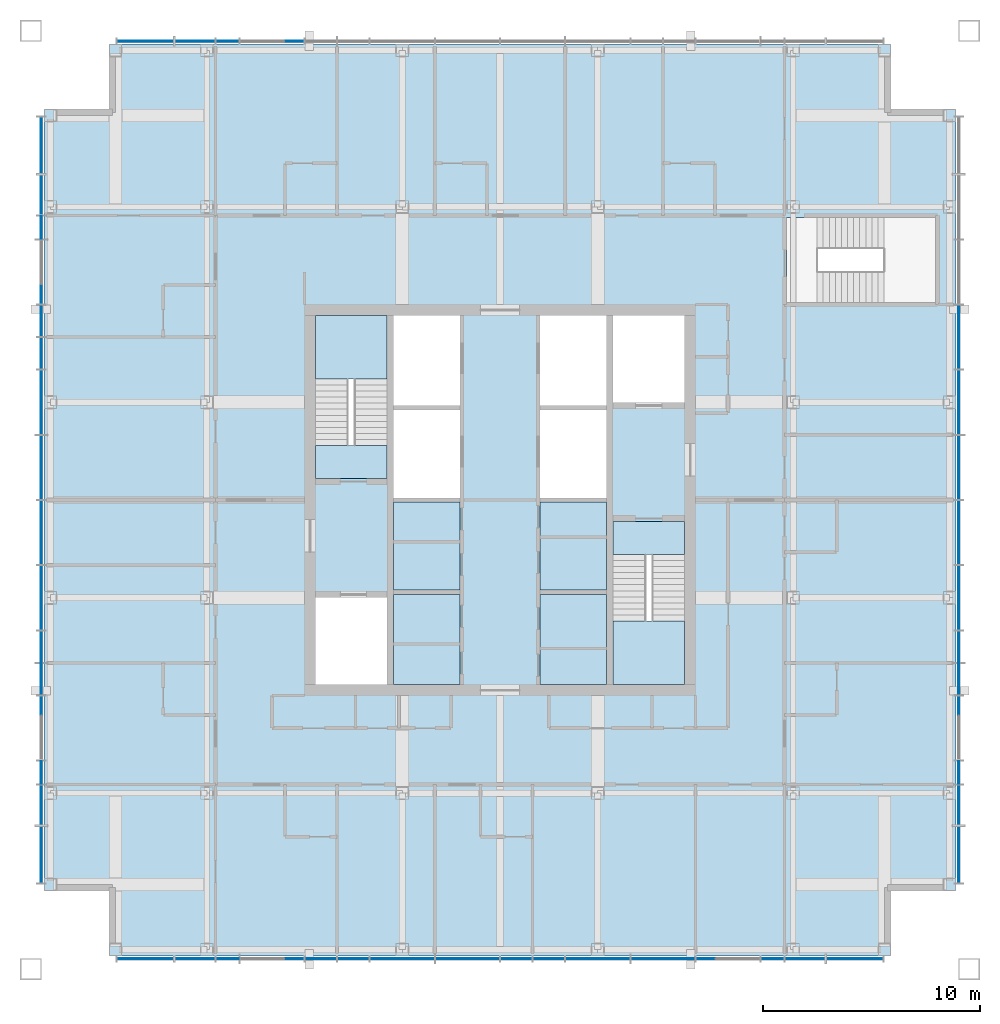
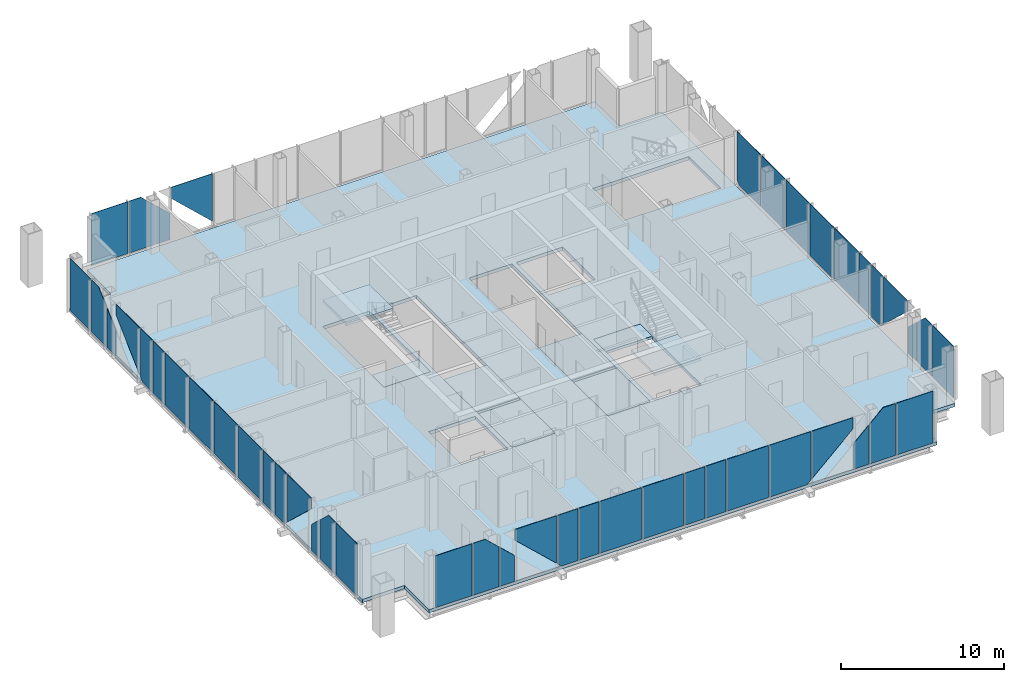
# One storey, part 6 of 11: 47 plates, 9 slabs, 6 elements without a shape of their own.
"""IFC4 building model written with IfcOpenShell, lengths in metres."""

from ifc_helpers import new_model, si_unit, direction, frame, origin, origin_2d, place, context, subcontext, project, spatial, polyline, rectangle, outline, extrude, material, layer, layer_set, type_object, element, aggregate, save


model = new_model("IFC4")

# Units and contexts
model_context = context("Model", 3, precision=1e-05, world=origin(), true_north=direction((0.0, 1.0)))
body_context = subcontext(model_context, "Body", "Model", "MODEL_VIEW")
ifc_project = project(units=[si_unit("LENGTHUNIT", "METRE"), si_unit("AREAUNIT", "SQUARE_METRE"), si_unit("VOLUMEUNIT", "CUBIC_METRE"), si_unit("PLANEANGLEUNIT", "RADIAN"), si_unit("MASSUNIT", "GRAM", prefix="KILO")], contexts=[model_context])

# Site, building, storey
site_placement = place(None, origin())
site = spatial("IfcSite", under=ifc_project, at=site_placement, CompositionType="ELEMENT")
building_placement = place(site_placement, origin())
building = spatial("IfcBuilding", under=site, at=building_placement, Name="Malebo Sky Hospital", CompositionType="ELEMENT")
storey_placement = place(building_placement, frame((0.0, 0.0, 278.0)))
storey = spatial("IfcBuildingStorey", under=building, at=storey_placement, Name="L67", CompositionType="ELEMENT", Elevation=278.0)

# Slabs
ifc_material_1 = material(Name="Concrete C40/50", Category="concrete")
ifc_layer_1 = layer(ifc_material_1, 0.25)
ifc_layer_set_1 = layer_set([ifc_layer_1], Name="COMPOSITE FLOOR SLAB 250")
slab_type_1 = type_object("IfcSlabType", Name="COMPOSITE FLOOR SLAB 250", PredefinedType="FLOOR", material=ifc_layer_set_1)
slab_1_placement = place(storey_placement, frame((0.0, 0.0, -0.25)))
element("IfcSlab", 1, at=slab_1_placement, inside=storey, type_object=slab_type_1, Name="Floor slab L67", PredefinedType="FLOOR", context=body_context, shape_type="SweptSolid", body=[
    extrude(outline(polyline([(42.0, 83.0), (42.0, 80.0), (39.0, 80.0), (39.0, 44.0), (42.0, 44.0), (42.0, 41.0), (78.0, 41.0), (78.0, 44.0), (81.0, 44.0), (81.0, 80.0), (78.0, 80.0), (78.0, 83.0), (42.0, 83.0)]), holes=[polyline([(55.10009765625, 70.5), (58.14990234375, 70.5), (58.14990234375, 53.5), (55.10009765625, 53.5), (55.10009765625, 70.5)]), polyline([(64.89990234375, 70.5), (64.89990234375, 53.5), (61.85009765625, 53.5), (61.85009765625, 70.5), (64.89990234375, 70.5)]), polyline([(54.800048828125, 63.0), (51.5, 63.0), (51.5, 70.5), (54.800048828125, 70.5), (54.800048828125, 63.0)]), polyline([(51.5, 53.5), (51.5, 57.5), (54.800048828125, 57.5), (54.800048828125, 53.5), (51.5, 53.5)]), polyline([(65.199951171875, 61.0), (68.5, 61.0), (68.5, 53.5), (65.199951171875, 53.5), (65.199951171875, 61.0)]), polyline([(68.5, 70.5), (68.5, 66.5), (65.199951171875, 66.5), (65.199951171875, 70.5), (68.5, 70.5)]), polyline([(80.050048828125, 71.10009765625), (73.199951171875, 71.10009765625), (73.199951171875, 75.0), (80.050048828125, 75.0), (80.050048828125, 71.10009765625)])]), origin(), (0.0, 0.0, 1.0), 0.25),
])
ifc_layer_2 = layer(ifc_material_1, 0.25)
ifc_layer_set_2 = layer_set([ifc_layer_2], Name="SHAFT INFILL SLAB 250")
slab_type_2 = type_object("IfcSlabType", Name="SHAFT INFILL SLAB 250", PredefinedType="FLOOR", material=ifc_layer_set_2)
slab_2_placement = place(storey_placement, frame((0.0, 0.0, -0.25)))
element("IfcSlab", 2, at=slab_2_placement, inside=storey, type_object=slab_type_2, Name="Shaft infill slab W1 L67", PredefinedType="FLOOR", context=body_context, shape_type="SweptSolid", body=[
    extrude(outline(polyline([(55.10009765625, 53.5), (58.14990234375, 53.5), (58.14990234375, 57.64990234375), (55.10009765625, 57.64990234375), (55.10009765625, 53.5)])), origin(), (0.0, 0.0, 1.0), 0.25),
])
slab_3_placement = place(storey_placement, frame((0.0, 0.0, -0.25)))
element("IfcSlab", 3, at=slab_3_placement, inside=storey, type_object=slab_type_2, Name="Shaft infill slab W2 L67", PredefinedType="FLOOR", context=body_context, shape_type="SweptSolid", body=[
    extrude(outline(polyline([(55.10009765625, 57.85009765625), (58.14990234375, 57.85009765625), (58.14990234375, 61.89990234375), (55.10009765625, 61.89990234375), (55.10009765625, 57.85009765625)])), origin(), (0.0, 0.0, 1.0), 0.25),
])
slab_4_placement = place(storey_placement, frame((0.0, 0.0, -0.25)))
element("IfcSlab", 4, at=slab_4_placement, inside=storey, type_object=slab_type_2, Name="Shaft infill slab E1 L67", PredefinedType="FLOOR", context=body_context, shape_type="SweptSolid", body=[
    extrude(outline(polyline([(61.85009765625, 53.5), (64.89990234375, 53.5), (64.89990234375, 57.64990234375), (61.85009765625, 57.64990234375), (61.85009765625, 53.5)])), origin(), (0.0, 0.0, 1.0), 0.25),
])
slab_5_placement = place(storey_placement, frame((0.0, 0.0, -0.25)))
element("IfcSlab", 5, at=slab_5_placement, inside=storey, type_object=slab_type_2, Name="Shaft infill slab E2 L67", PredefinedType="FLOOR", context=body_context, shape_type="SweptSolid", body=[
    extrude(outline(polyline([(61.85009765625, 57.85009765625), (64.89990234375, 57.85009765625), (64.89990234375, 61.89990234375), (61.85009765625, 61.89990234375), (61.85009765625, 57.85009765625)])), origin(), (0.0, 0.0, 1.0), 0.25),
])

# Stair, slabs
stair_type = type_object("IfcStairType", Name="HALF-TURN STAIR 1500 R167", PredefinedType="HALF_TURN_STAIR", material=ifc_material_1)
stair_1_placement = place(storey_placement, origin())
stair_1 = element("IfcStair", 6, at=stair_1_placement, inside=storey, type_object=stair_type, Name="Stair S1 L67 type ST1", PredefinedType="HALF_TURN_STAIR")
ifc_layer_3 = layer(ifc_material_1, 0.199951171875)
ifc_layer_set_3 = layer_set([ifc_layer_3], Name="STAIR LANDING 200")
slab_type_3 = type_object("IfcSlabType", Name="STAIR LANDING 200", PredefinedType="LANDING", material=ifc_layer_set_3)
slab_6_placement = place(storey_placement, frame((0.0, 0.0, -0.199951171875)))
slab_6 = element("IfcSlab", 7, at=slab_6_placement, type_object=slab_type_3, Name="S1 landing 1", PredefinedType="LANDING", context=body_context, shape_type="SweptSolid", body=[
    extrude(outline(polyline([(51.5, 63.0), (54.800048828125, 63.0), (54.800048828125, 64.5), (51.5, 64.5), (51.5, 63.0)])), origin(), (0.0, 0.0, 1.0), 0.199951171875),
])
slab_7_placement = place(storey_placement, frame((0.0, 0.0, 1.800048828125)))
slab_7 = element("IfcSlab", 8, at=slab_7_placement, type_object=slab_type_3, Name="S1 landing 2", PredefinedType="LANDING", context=body_context, shape_type="SweptSolid", body=[
    extrude(outline(polyline([(51.5, 67.580078125), (54.800048828125, 67.580078125), (54.800048828125, 70.5), (51.5, 70.5), (51.5, 67.580078125)])), origin(), (0.0, 0.0, 1.0), 0.199951171875),
])
aggregate(stair_1, [slab_6, slab_7])

stair_2_placement = place(storey_placement, origin())
stair_2 = element("IfcStair", 9, at=stair_2_placement, inside=storey, type_object=stair_type, Name="Stair S2 L67 type ST1", PredefinedType="HALF_TURN_STAIR")
slab_8_placement = place(storey_placement, frame((0.0, 0.0, -0.199951171875)))
slab_8 = element("IfcSlab", 10, at=slab_8_placement, type_object=slab_type_3, Name="S2 landing 1", PredefinedType="LANDING", context=body_context, shape_type="SweptSolid", body=[
    extrude(outline(polyline([(65.199951171875, 59.5), (68.5, 59.5), (68.5, 61.0), (65.199951171875, 61.0), (65.199951171875, 59.5)])), origin(), (0.0, 0.0, 1.0), 0.199951171875),
])
slab_9_placement = place(storey_placement, frame((0.0, 0.0, 1.800048828125)))
slab_9 = element("IfcSlab", 11, at=slab_9_placement, type_object=slab_type_3, Name="S2 landing 2", PredefinedType="LANDING", context=body_context, shape_type="SweptSolid", body=[
    extrude(outline(polyline([(65.199951171875, 53.5), (68.5, 53.5), (68.5, 56.419921875), (65.199951171875, 56.419921875), (65.199951171875, 53.5)])), origin(), (0.0, 0.0, 1.0), 0.199951171875),
])
aggregate(stair_2, [slab_8, slab_9])

# Curtain wall, plates
ifc_material_2 = material(Name="Anodised aluminium, natural silver", Category="aluminium")
ifc_layer_4 = layer(ifc_material_2, 0.25)
ifc_layer_set_4 = layer_set([ifc_layer_4], Name="WARD CURTAIN WALL NORTH AND SOUTH")
curtain_wall_type_1 = type_object("IfcCurtainWallType", Name="WARD CURTAIN WALL NORTH AND SOUTH", PredefinedType="NOTDEFINED", material=ifc_layer_set_4)
curtain_wall_1_placement = place(storey_placement, origin())
curtain_wall_1 = element("IfcCurtainWall", 12, at=curtain_wall_1_placement, inside=storey, type_object=curtain_wall_type_1, Name="NS curtain wall N", PredefinedType="NOTDEFINED")
ifc_material_3 = material(Name="Clear low-iron double glazing", Category="glass")
ifc_layer_5 = layer(ifc_material_3, 0.031982421875)
ifc_layer_set_5 = layer_set([ifc_layer_5], Name="VISION PANEL CLEAR 32")
plate_type = type_object("IfcPlateType", Name="VISION PANEL CLEAR 32", PredefinedType="CURTAIN_PANEL", material=ifc_layer_set_5)
plate_1_placement = place(storey_placement, frame((43.668701171875, 83.125, 0.10009765625), z_axis=(0.0, 0.0, 1.0), x_axis=(1.0, 0.0, 0.0)))
plate_1 = element("IfcPlate", 13, at=plate_1_placement, type_object=plate_type, Name="Panel 1", PredefinedType="CURTAIN_PANEL", context=body_context, shape_type="SweptSolid", body=[
    extrude(rectangle(XDim=2.58740234375, YDim=0.031982421875, at=origin_2d()), origin(), (0.0, 0.0, 1.0), 3.889892578125),
])
plate_2_placement = place(storey_placement, frame((45.949951171875, 83.125, 0.10009765625), z_axis=(0.0, 0.0, 1.0), x_axis=(1.0, 0.0, 0.0)))
plate_2 = element("IfcPlate", 14, at=plate_2_placement, type_object=plate_type, Name="Panel 2", PredefinedType="CURTAIN_PANEL", context=body_context, shape_type="SweptSolid", body=[
    extrude(outline(polyline([(-0.91259765625, 0.0), (0.91259765625, 0.0), (0.91259765625, 2.993408203125), (-0.045166015625, 3.889892578125), (-0.91259765625, 3.889892578125), (-0.91259765625, 0.0)])), frame((0.0, 0.01611328125, 0.0), z_axis=(0.0, -1.0, 0.0), x_axis=(1.0, 0.0, 0.0)), (0.0, 0.0, 1.0), 0.031982421875),
])
plate_3_placement = place(storey_placement, frame((47.449951171875, 83.125, 0.10009765625), z_axis=(0.0, 0.0, 1.0), x_axis=(1.0, 0.0, 0.0)))
plate_3 = element("IfcPlate", 15, at=plate_3_placement, type_object=plate_type, Name="Panel 3", PredefinedType="CURTAIN_PANEL", context=body_context, shape_type="SweptSolid", body=[
    extrude(outline(polyline([(-0.512451171875, 0.0), (0.512451171875, 0.0), (0.512451171875, 1.96337890625), (-0.512451171875, 2.923095703125), (-0.512451171875, 0.0)])), frame((0.0, 0.01611328125, 0.0), z_axis=(0.0, -1.0, 0.0), x_axis=(1.0, 0.0, 0.0)), (0.0, 0.0, 1.0), 0.031982421875),
])
plate_4_placement = place(storey_placement, frame((49.5, 83.125, 0.420166015625), z_axis=(0.0, 0.0, 1.0), x_axis=(1.0, 0.0, 0.0)))
plate_4 = element("IfcPlate", 16, at=plate_4_placement, type_object=plate_type, Name="Panel 4", PredefinedType="CURTAIN_PANEL", context=body_context, shape_type="SweptSolid", body=[
    extrude(outline(polyline([(1.46240234375, 0.0), (1.46240234375, 3.56982421875), (-1.46240234375, 3.56982421875), (-1.46240234375, 2.73876953125), (1.46240234375, 0.0)])), frame((0.0, 0.01611328125, 0.0), z_axis=(0.0, -1.0, 0.0), x_axis=(1.0, 0.0, 0.0)), (0.0, 0.0, 1.0), 0.031982421875),
])
aggregate(curtain_wall_1, [plate_1, plate_2, plate_3, plate_4])

ifc_layer_6 = layer(ifc_material_2, 0.25)
ifc_layer_set_6 = layer_set([ifc_layer_6], Name="WARD CURTAIN WALL EAST AND WEST")
curtain_wall_type_2 = type_object("IfcCurtainWallType", Name="WARD CURTAIN WALL EAST AND WEST", PredefinedType="NOTDEFINED", material=ifc_layer_set_6)
curtain_wall_2_placement = place(storey_placement, origin())
curtain_wall_2 = element("IfcCurtainWall", 17, at=curtain_wall_2_placement, inside=storey, type_object=curtain_wall_type_2, Name="EW curtain wall W", PredefinedType="NOTDEFINED")
plate_5_placement = place(storey_placement, frame((38.875, 45.668701171875, 0.10009765625), z_axis=(0.0, 0.0, 1.0), x_axis=(0.0, 1.0, 0.0)))
plate_5 = element("IfcPlate", 18, at=plate_5_placement, type_object=plate_type, Name="Panel 1", PredefinedType="CURTAIN_PANEL", context=body_context, shape_type="SweptSolid", body=[
    extrude(rectangle(XDim=2.58740234375, YDim=0.031982421875, at=origin_2d()), origin(), (0.0, 0.0, 1.0), 3.889892578125),
])
plate_6_placement = place(storey_placement, frame((38.875, 47.949951171875, 0.10009765625), z_axis=(0.0, 0.0, 1.0), x_axis=(0.0, 1.0, 0.0)))
plate_6 = element("IfcPlate", 19, at=plate_6_placement, type_object=plate_type, Name="Panel 2", PredefinedType="CURTAIN_PANEL", context=body_context, shape_type="SweptSolid", body=[
    extrude(outline(polyline([(-0.91259765625, 0.0), (0.91259765625, 0.0), (0.91259765625, 2.993408203125), (-0.045166015625, 3.889892578125), (-0.91259765625, 3.889892578125), (-0.91259765625, 0.0)])), frame((0.0, 0.01611328125, 0.0), z_axis=(0.0, -1.0, 0.0), x_axis=(1.0, 0.0, 0.0)), (0.0, 0.0, 1.0), 0.031982421875),
])
plate_7_placement = place(storey_placement, frame((38.875, 49.449951171875, 0.10009765625), z_axis=(0.0, 0.0, 1.0), x_axis=(0.0, 1.0, 0.0)))
plate_7 = element("IfcPlate", 20, at=plate_7_placement, type_object=plate_type, Name="Panel 3", PredefinedType="CURTAIN_PANEL", context=body_context, shape_type="SweptSolid", body=[
    extrude(outline(polyline([(-0.512451171875, 0.0), (0.512451171875, 0.0), (0.512451171875, 1.96337890625), (-0.512451171875, 2.923095703125), (-0.512451171875, 0.0)])), frame((0.0, 0.01611328125, 0.0), z_axis=(0.0, -1.0, 0.0), x_axis=(1.0, 0.0, 0.0)), (0.0, 0.0, 1.0), 0.031982421875),
])
plate_8_placement = place(storey_placement, frame((38.875, 51.5, 0.420166015625), z_axis=(0.0, 0.0, 1.0), x_axis=(0.0, 1.0, 0.0)))
plate_8 = element("IfcPlate", 21, at=plate_8_placement, type_object=plate_type, Name="Panel 4", PredefinedType="CURTAIN_PANEL", context=body_context, shape_type="SweptSolid", body=[
    extrude(outline(polyline([(1.46240234375, 0.0), (1.46240234375, 3.56982421875), (-1.46240234375, 3.56982421875), (-1.46240234375, 2.73876953125), (1.46240234375, 0.0)])), frame((0.0, 0.01611328125, 0.0), z_axis=(0.0, -1.0, 0.0), x_axis=(1.0, 0.0, 0.0)), (0.0, 0.0, 1.0), 0.031982421875),
])
plate_9_placement = place(storey_placement, frame((38.875, 53.75, 0.10009765625), z_axis=(0.0, 0.0, 1.0), x_axis=(0.0, 1.0, 0.0)))
plate_9 = element("IfcPlate", 22, at=plate_9_placement, type_object=plate_type, Name="Panel 5", PredefinedType="CURTAIN_PANEL", context=body_context, shape_type="SweptSolid", body=[
    extrude(outline(polyline([(-0.445556640625, 0.0), (0.71240234375, 0.0), (0.71240234375, 3.889892578125), (-0.71240234375, 3.889892578125), (-0.71240234375, 0.25), (-0.445556640625, 0.0)])), frame((0.0, 0.01611328125, 0.0), z_axis=(0.0, -1.0, 0.0), x_axis=(1.0, 0.0, 0.0)), (0.0, 0.0, 1.0), 0.031982421875),
])
plate_10_placement = place(storey_placement, frame((38.875, 55.25, 0.10009765625), z_axis=(0.0, 0.0, 1.0), x_axis=(0.0, 1.0, 0.0)))
plate_10 = element("IfcPlate", 23, at=plate_10_placement, type_object=plate_type, Name="Panel 6", PredefinedType="CURTAIN_PANEL", context=body_context, shape_type="SweptSolid", body=[
    extrude(rectangle(XDim=1.425048828125, YDim=0.031982421875, at=origin_2d()), origin(), (0.0, 0.0, 1.0), 3.889892578125),
])
plate_11_placement = place(storey_placement, frame((38.875, 57.5, 0.10009765625), z_axis=(0.0, 0.0, 1.0), x_axis=(0.0, 1.0, 0.0)))
plate_11 = element("IfcPlate", 24, at=plate_11_placement, type_object=plate_type, Name="Panel 7", PredefinedType="CURTAIN_PANEL", context=body_context, shape_type="SweptSolid", body=[
    extrude(rectangle(XDim=2.925048828125, YDim=0.031982421875, at=origin_2d()), origin(), (0.0, 0.0, 1.0), 3.889892578125),
])
plate_12_placement = place(storey_placement, frame((38.875, 60.5, 0.10009765625), z_axis=(0.0, 0.0, 1.0), x_axis=(0.0, 1.0, 0.0)))
plate_12 = element("IfcPlate", 25, at=plate_12_placement, type_object=plate_type, Name="Panel 8", PredefinedType="CURTAIN_PANEL", context=body_context, shape_type="SweptSolid", body=[
    extrude(rectangle(XDim=2.925048828125, YDim=0.031982421875, at=origin_2d()), origin(), (0.0, 0.0, 1.0), 3.889892578125),
])
plate_13_placement = place(storey_placement, frame((38.875, 63.5, 0.10009765625), z_axis=(0.0, 0.0, 1.0), x_axis=(0.0, 1.0, 0.0)))
plate_13 = element("IfcPlate", 26, at=plate_13_placement, type_object=plate_type, Name="Panel 9", PredefinedType="CURTAIN_PANEL", context=body_context, shape_type="SweptSolid", body=[
    extrude(rectangle(XDim=2.925048828125, YDim=0.031982421875, at=origin_2d()), origin(), (0.0, 0.0, 1.0), 3.889892578125),
])
plate_14_placement = place(storey_placement, frame((38.875, 66.5, 0.10009765625), z_axis=(0.0, 0.0, 1.0), x_axis=(0.0, 1.0, 0.0)))
plate_14 = element("IfcPlate", 27, at=plate_14_placement, type_object=plate_type, Name="Panel 10", PredefinedType="CURTAIN_PANEL", context=body_context, shape_type="SweptSolid", body=[
    extrude(rectangle(XDim=2.925048828125, YDim=0.031982421875, at=origin_2d()), origin(), (0.0, 0.0, 1.0), 3.889892578125),
])
plate_15_placement = place(storey_placement, frame((38.875, 68.75, 0.10009765625), z_axis=(0.0, 0.0, 1.0), x_axis=(0.0, 1.0, 0.0)))
plate_15 = element("IfcPlate", 28, at=plate_15_placement, type_object=plate_type, Name="Panel 11", PredefinedType="CURTAIN_PANEL", context=body_context, shape_type="SweptSolid", body=[
    extrude(rectangle(XDim=1.425048828125, YDim=0.031982421875, at=origin_2d()), origin(), (0.0, 0.0, 1.0), 3.889892578125),
])
plate_16_placement = place(storey_placement, frame((38.875, 70.25, 0.10009765625), z_axis=(0.0, 0.0, 1.0), x_axis=(0.0, 1.0, 0.0)))
plate_16 = element("IfcPlate", 29, at=plate_16_placement, type_object=plate_type, Name="Panel 12", PredefinedType="CURTAIN_PANEL", context=body_context, shape_type="SweptSolid", body=[
    extrude(outline(polyline([(-0.71240234375, 0.0), (0.445556640625, 0.0), (0.71240234375, 0.25), (0.71240234375, 3.889892578125), (-0.71240234375, 3.889892578125), (-0.71240234375, 0.0)])), frame((0.0, 0.01611328125, 0.0), z_axis=(0.0, -1.0, 0.0), x_axis=(1.0, 0.0, 0.0)), (0.0, 0.0, 1.0), 0.031982421875),
])
plate_17_placement = place(storey_placement, frame((38.875, 72.5, 0.420166015625), z_axis=(0.0, 0.0, 1.0), x_axis=(0.0, 1.0, 0.0)))
plate_17 = element("IfcPlate", 30, at=plate_17_placement, type_object=plate_type, Name="Panel 13", PredefinedType="CURTAIN_PANEL", context=body_context, shape_type="SweptSolid", body=[
    extrude(outline(polyline([(-1.46240234375, 0.0), (1.46240234375, 2.73876953125), (1.46240234375, 3.56982421875), (-1.46240234375, 3.56982421875), (-1.46240234375, 0.0)])), frame((0.0, 0.01611328125, 0.0), z_axis=(0.0, -1.0, 0.0), x_axis=(1.0, 0.0, 0.0)), (0.0, 0.0, 1.0), 0.031982421875),
])
plate_18_placement = place(storey_placement, frame((38.875, 74.550048828125, 0.10009765625), z_axis=(0.0, 0.0, 1.0), x_axis=(0.0, 1.0, 0.0)))
plate_18 = element("IfcPlate", 31, at=plate_18_placement, type_object=plate_type, Name="Panel 14", PredefinedType="CURTAIN_PANEL", context=body_context, shape_type="SweptSolid", body=[
    extrude(outline(polyline([(-0.512451171875, 0.0), (0.512451171875, 0.0), (0.512451171875, 2.923095703125), (-0.512451171875, 1.96337890625), (-0.512451171875, 0.0)])), frame((0.0, 0.01611328125, 0.0), z_axis=(0.0, -1.0, 0.0), x_axis=(1.0, 0.0, 0.0)), (0.0, 0.0, 1.0), 0.031982421875),
])
plate_19_placement = place(storey_placement, frame((38.875, 76.050048828125, 0.10009765625), z_axis=(0.0, 0.0, 1.0), x_axis=(0.0, 1.0, 0.0)))
plate_19 = element("IfcPlate", 32, at=plate_19_placement, type_object=plate_type, Name="Panel 15", PredefinedType="CURTAIN_PANEL", context=body_context, shape_type="SweptSolid", body=[
    extrude(outline(polyline([(-0.91259765625, 0.0), (0.91259765625, 0.0), (0.91259765625, 3.889892578125), (0.045166015625, 3.889892578125), (-0.91259765625, 2.993408203125), (-0.91259765625, 0.0)])), frame((0.0, 0.01611328125, 0.0), z_axis=(0.0, -1.0, 0.0), x_axis=(1.0, 0.0, 0.0)), (0.0, 0.0, 1.0), 0.031982421875),
])
plate_20_placement = place(storey_placement, frame((38.875, 78.331298828125, 0.10009765625), z_axis=(0.0, 0.0, 1.0), x_axis=(0.0, 1.0, 0.0)))
plate_20 = element("IfcPlate", 33, at=plate_20_placement, type_object=plate_type, Name="Panel 16", PredefinedType="CURTAIN_PANEL", context=body_context, shape_type="SweptSolid", body=[
    extrude(rectangle(XDim=2.58740234375, YDim=0.031982421875, at=origin_2d()), origin(), (0.0, 0.0, 1.0), 3.889892578125),
])
aggregate(curtain_wall_2, [plate_5, plate_6, plate_7, plate_8, plate_9, plate_10, plate_11, plate_12, plate_13, plate_14, plate_15, plate_16, plate_17, plate_18, plate_19, plate_20])

curtain_wall_3_placement = place(storey_placement, origin())
curtain_wall_3 = element("IfcCurtainWall", 34, at=curtain_wall_3_placement, inside=storey, type_object=curtain_wall_type_1, Name="NS curtain wall S", PredefinedType="NOTDEFINED")
plate_21_placement = place(storey_placement, frame((76.331298828125, 40.875, 0.10009765625), z_axis=(0.0, 0.0, 1.0), x_axis=(-1.0, 0.0, 0.0)))
plate_21 = element("IfcPlate", 35, at=plate_21_placement, type_object=plate_type, Name="Panel 1", PredefinedType="CURTAIN_PANEL", context=body_context, shape_type="SweptSolid", body=[
    extrude(rectangle(XDim=2.58740234375, YDim=0.031982421875, at=origin_2d()), origin(), (0.0, 0.0, 1.0), 3.889892578125),
])
plate_22_placement = place(storey_placement, frame((74.050048828125, 40.875, 0.10009765625), z_axis=(0.0, 0.0, 1.0), x_axis=(-1.0, 0.0, 0.0)))
plate_22 = element("IfcPlate", 36, at=plate_22_placement, type_object=plate_type, Name="Panel 2", PredefinedType="CURTAIN_PANEL", context=body_context, shape_type="SweptSolid", body=[
    extrude(outline(polyline([(-0.91259765625, 0.0), (0.91259765625, 0.0), (0.91259765625, 2.993408203125), (-0.045166015625, 3.889892578125), (-0.91259765625, 3.889892578125), (-0.91259765625, 0.0)])), frame((0.0, 0.01611328125, 0.0), z_axis=(0.0, -1.0, 0.0), x_axis=(1.0, 0.0, 0.0)), (0.0, 0.0, 1.0), 0.031982421875),
])
plate_23_placement = place(storey_placement, frame((72.550048828125, 40.875, 0.10009765625), z_axis=(0.0, 0.0, 1.0), x_axis=(-1.0, 0.0, 0.0)))
plate_23 = element("IfcPlate", 37, at=plate_23_placement, type_object=plate_type, Name="Panel 3", PredefinedType="CURTAIN_PANEL", context=body_context, shape_type="SweptSolid", body=[
    extrude(outline(polyline([(-0.512451171875, 0.0), (0.512451171875, 0.0), (0.512451171875, 1.96337890625), (-0.512451171875, 2.923095703125), (-0.512451171875, 0.0)])), frame((0.0, 0.01611328125, 0.0), z_axis=(0.0, -1.0, 0.0), x_axis=(1.0, 0.0, 0.0)), (0.0, 0.0, 1.0), 0.031982421875),
])
plate_24_placement = place(storey_placement, frame((70.5, 40.875, 0.420166015625), z_axis=(0.0, 0.0, 1.0), x_axis=(-1.0, 0.0, 0.0)))
plate_24 = element("IfcPlate", 38, at=plate_24_placement, type_object=plate_type, Name="Panel 4", PredefinedType="CURTAIN_PANEL", context=body_context, shape_type="SweptSolid", body=[
    extrude(outline(polyline([(1.46240234375, 0.0), (1.46240234375, 3.56982421875), (-1.46240234375, 3.56982421875), (-1.46240234375, 2.73876953125), (1.46240234375, 0.0)])), frame((0.0, 0.01611328125, 0.0), z_axis=(0.0, -1.0, 0.0), x_axis=(1.0, 0.0, 0.0)), (0.0, 0.0, 1.0), 0.031982421875),
])
plate_25_placement = place(storey_placement, frame((67.5, 40.875, 0.10009765625), z_axis=(0.0, 0.0, 1.0), x_axis=(-1.0, 0.0, 0.0)))
plate_25 = element("IfcPlate", 39, at=plate_25_placement, type_object=plate_type, Name="Panel 5", PredefinedType="CURTAIN_PANEL", context=body_context, shape_type="SweptSolid", body=[
    extrude(outline(polyline([(-1.195556640625, 0.0), (1.46240234375, 0.0), (1.46240234375, 3.889892578125), (-1.46240234375, 3.889892578125), (-1.46240234375, 0.25), (-1.195556640625, 0.0)])), frame((0.0, 0.01611328125, 0.0), z_axis=(0.0, -1.0, 0.0), x_axis=(1.0, 0.0, 0.0)), (0.0, 0.0, 1.0), 0.031982421875),
])
plate_26_placement = place(storey_placement, frame((64.5, 40.875, 0.10009765625), z_axis=(0.0, 0.0, 1.0), x_axis=(-1.0, 0.0, 0.0)))
plate_26 = element("IfcPlate", 40, at=plate_26_placement, type_object=plate_type, Name="Panel 6", PredefinedType="CURTAIN_PANEL", context=body_context, shape_type="SweptSolid", body=[
    extrude(rectangle(XDim=2.925048828125, YDim=0.031982421875, at=origin_2d()), origin(), (0.0, 0.0, 1.0), 3.889892578125),
])
plate_27_placement = place(storey_placement, frame((62.25, 40.875, 0.10009765625), z_axis=(0.0, 0.0, 1.0), x_axis=(-1.0, 0.0, 0.0)))
plate_27 = element("IfcPlate", 41, at=plate_27_placement, type_object=plate_type, Name="Panel 7", PredefinedType="CURTAIN_PANEL", context=body_context, shape_type="SweptSolid", body=[
    extrude(rectangle(XDim=1.425048828125, YDim=0.031982421875, at=origin_2d()), origin(), (0.0, 0.0, 1.0), 3.889892578125),
])
plate_28_placement = place(storey_placement, frame((60.75, 40.875, 0.10009765625), z_axis=(0.0, 0.0, 1.0), x_axis=(-1.0, 0.0, 0.0)))
plate_28 = element("IfcPlate", 42, at=plate_28_placement, type_object=plate_type, Name="Panel 8", PredefinedType="CURTAIN_PANEL", context=body_context, shape_type="SweptSolid", body=[
    extrude(rectangle(XDim=1.425048828125, YDim=0.031982421875, at=origin_2d()), origin(), (0.0, 0.0, 1.0), 3.889892578125),
])
plate_29_placement = place(storey_placement, frame((58.5, 40.875, 0.10009765625), z_axis=(0.0, 0.0, 1.0), x_axis=(-1.0, 0.0, 0.0)))
plate_29 = element("IfcPlate", 43, at=plate_29_placement, type_object=plate_type, Name="Panel 9", PredefinedType="CURTAIN_PANEL", context=body_context, shape_type="SweptSolid", body=[
    extrude(rectangle(XDim=2.925048828125, YDim=0.031982421875, at=origin_2d()), origin(), (0.0, 0.0, 1.0), 3.889892578125),
])
plate_30_placement = place(storey_placement, frame((55.5, 40.875, 0.10009765625), z_axis=(0.0, 0.0, 1.0), x_axis=(-1.0, 0.0, 0.0)))
plate_30 = element("IfcPlate", 44, at=plate_30_placement, type_object=plate_type, Name="Panel 10", PredefinedType="CURTAIN_PANEL", context=body_context, shape_type="SweptSolid", body=[
    extrude(rectangle(XDim=2.925048828125, YDim=0.031982421875, at=origin_2d()), origin(), (0.0, 0.0, 1.0), 3.889892578125),
])
plate_31_placement = place(storey_placement, frame((53.25, 40.875, 0.10009765625), z_axis=(0.0, 0.0, 1.0), x_axis=(-1.0, 0.0, 0.0)))
plate_31 = element("IfcPlate", 45, at=plate_31_placement, type_object=plate_type, Name="Panel 11", PredefinedType="CURTAIN_PANEL", context=body_context, shape_type="SweptSolid", body=[
    extrude(rectangle(XDim=1.425048828125, YDim=0.031982421875, at=origin_2d()), origin(), (0.0, 0.0, 1.0), 3.889892578125),
])
plate_32_placement = place(storey_placement, frame((51.75, 40.875, 0.10009765625), z_axis=(0.0, 0.0, 1.0), x_axis=(-1.0, 0.0, 0.0)))
plate_32 = element("IfcPlate", 46, at=plate_32_placement, type_object=plate_type, Name="Panel 12", PredefinedType="CURTAIN_PANEL", context=body_context, shape_type="SweptSolid", body=[
    extrude(outline(polyline([(-0.71240234375, 0.0), (0.445556640625, 0.0), (0.71240234375, 0.25), (0.71240234375, 3.889892578125), (-0.71240234375, 3.889892578125), (-0.71240234375, 0.0)])), frame((0.0, 0.01611328125, 0.0), z_axis=(0.0, -1.0, 0.0), x_axis=(1.0, 0.0, 0.0)), (0.0, 0.0, 1.0), 0.031982421875),
])
plate_33_placement = place(storey_placement, frame((49.5, 40.875, 0.420166015625), z_axis=(0.0, 0.0, 1.0), x_axis=(-1.0, 0.0, 0.0)))
plate_33 = element("IfcPlate", 47, at=plate_33_placement, type_object=plate_type, Name="Panel 13", PredefinedType="CURTAIN_PANEL", context=body_context, shape_type="SweptSolid", body=[
    extrude(outline(polyline([(-1.46240234375, 0.0), (1.46240234375, 2.73876953125), (1.46240234375, 3.56982421875), (-1.46240234375, 3.56982421875), (-1.46240234375, 0.0)])), frame((0.0, 0.01611328125, 0.0), z_axis=(0.0, -1.0, 0.0), x_axis=(1.0, 0.0, 0.0)), (0.0, 0.0, 1.0), 0.031982421875),
])
plate_34_placement = place(storey_placement, frame((47.449951171875, 40.875, 0.10009765625), z_axis=(0.0, 0.0, 1.0), x_axis=(-1.0, 0.0, 0.0)))
plate_34 = element("IfcPlate", 48, at=plate_34_placement, type_object=plate_type, Name="Panel 14", PredefinedType="CURTAIN_PANEL", context=body_context, shape_type="SweptSolid", body=[
    extrude(outline(polyline([(-0.512451171875, 0.0), (0.512451171875, 0.0), (0.512451171875, 2.923095703125), (-0.512451171875, 1.96337890625), (-0.512451171875, 0.0)])), frame((0.0, 0.01611328125, 0.0), z_axis=(0.0, -1.0, 0.0), x_axis=(1.0, 0.0, 0.0)), (0.0, 0.0, 1.0), 0.031982421875),
])
plate_35_placement = place(storey_placement, frame((45.949951171875, 40.875, 0.10009765625), z_axis=(0.0, 0.0, 1.0), x_axis=(-1.0, 0.0, 0.0)))
plate_35 = element("IfcPlate", 49, at=plate_35_placement, type_object=plate_type, Name="Panel 15", PredefinedType="CURTAIN_PANEL", context=body_context, shape_type="SweptSolid", body=[
    extrude(outline(polyline([(-0.91259765625, 0.0), (0.91259765625, 0.0), (0.91259765625, 3.889892578125), (0.045166015625, 3.889892578125), (-0.91259765625, 2.993408203125), (-0.91259765625, 0.0)])), frame((0.0, 0.01611328125, 0.0), z_axis=(0.0, -1.0, 0.0), x_axis=(1.0, 0.0, 0.0)), (0.0, 0.0, 1.0), 0.031982421875),
])
plate_36_placement = place(storey_placement, frame((43.668701171875, 40.875, 0.10009765625), z_axis=(0.0, 0.0, 1.0), x_axis=(-1.0, 0.0, 0.0)))
plate_36 = element("IfcPlate", 50, at=plate_36_placement, type_object=plate_type, Name="Panel 16", PredefinedType="CURTAIN_PANEL", context=body_context, shape_type="SweptSolid", body=[
    extrude(rectangle(XDim=2.58740234375, YDim=0.031982421875, at=origin_2d()), origin(), (0.0, 0.0, 1.0), 3.889892578125),
])
aggregate(curtain_wall_3, [plate_21, plate_22, plate_23, plate_24, plate_25, plate_26, plate_27, plate_28, plate_29, plate_30, plate_31, plate_32, plate_33, plate_34, plate_35, plate_36])

curtain_wall_4_placement = place(storey_placement, origin())
curtain_wall_4 = element("IfcCurtainWall", 51, at=curtain_wall_4_placement, inside=storey, type_object=curtain_wall_type_2, Name="EW curtain wall E", PredefinedType="NOTDEFINED")
plate_37_placement = place(storey_placement, frame((81.125, 69.5, 0.10009765625), z_axis=(0.0, 0.0, 1.0), x_axis=(0.0, -1.0, 0.0)))
plate_37 = element("IfcPlate", 52, at=plate_37_placement, type_object=plate_type, Name="Panel 4", PredefinedType="CURTAIN_PANEL", context=body_context, shape_type="SweptSolid", body=[
    extrude(outline(polyline([(-1.195556640625, 0.0), (1.46240234375, 0.0), (1.46240234375, 3.889892578125), (-1.46240234375, 3.889892578125), (-1.46240234375, 0.25), (-1.195556640625, 0.0)])), frame((0.0, 0.01611328125, 0.0), z_axis=(0.0, -1.0, 0.0), x_axis=(1.0, 0.0, 0.0)), (0.0, 0.0, 1.0), 0.031982421875),
])
plate_38_placement = place(storey_placement, frame((81.125, 66.5, 0.10009765625), z_axis=(0.0, 0.0, 1.0), x_axis=(0.0, -1.0, 0.0)))
plate_38 = element("IfcPlate", 53, at=plate_38_placement, type_object=plate_type, Name="Panel 5", PredefinedType="CURTAIN_PANEL", context=body_context, shape_type="SweptSolid", body=[
    extrude(rectangle(XDim=2.925048828125, YDim=0.031982421875, at=origin_2d()), origin(), (0.0, 0.0, 1.0), 3.889892578125),
])
plate_39_placement = place(storey_placement, frame((81.125, 63.5, 0.10009765625), z_axis=(0.0, 0.0, 1.0), x_axis=(0.0, -1.0, 0.0)))
plate_39 = element("IfcPlate", 54, at=plate_39_placement, type_object=plate_type, Name="Panel 6", PredefinedType="CURTAIN_PANEL", context=body_context, shape_type="SweptSolid", body=[
    extrude(rectangle(XDim=2.925048828125, YDim=0.031982421875, at=origin_2d()), origin(), (0.0, 0.0, 1.0), 3.889892578125),
])
plate_40_placement = place(storey_placement, frame((81.125, 60.5, 0.10009765625), z_axis=(0.0, 0.0, 1.0), x_axis=(0.0, -1.0, 0.0)))
plate_40 = element("IfcPlate", 55, at=plate_40_placement, type_object=plate_type, Name="Panel 7", PredefinedType="CURTAIN_PANEL", context=body_context, shape_type="SweptSolid", body=[
    extrude(rectangle(XDim=2.925048828125, YDim=0.031982421875, at=origin_2d()), origin(), (0.0, 0.0, 1.0), 3.889892578125),
])
plate_41_placement = place(storey_placement, frame((81.125, 57.5, 0.10009765625), z_axis=(0.0, 0.0, 1.0), x_axis=(0.0, -1.0, 0.0)))
plate_41 = element("IfcPlate", 56, at=plate_41_placement, type_object=plate_type, Name="Panel 8", PredefinedType="CURTAIN_PANEL", context=body_context, shape_type="SweptSolid", body=[
    extrude(rectangle(XDim=2.925048828125, YDim=0.031982421875, at=origin_2d()), origin(), (0.0, 0.0, 1.0), 3.889892578125),
])
plate_42_placement = place(storey_placement, frame((81.125, 55.25, 0.10009765625), z_axis=(0.0, 0.0, 1.0), x_axis=(0.0, -1.0, 0.0)))
plate_42 = element("IfcPlate", 57, at=plate_42_placement, type_object=plate_type, Name="Panel 9", PredefinedType="CURTAIN_PANEL", context=body_context, shape_type="SweptSolid", body=[
    extrude(rectangle(XDim=1.425048828125, YDim=0.031982421875, at=origin_2d()), origin(), (0.0, 0.0, 1.0), 3.889892578125),
])
plate_43_placement = place(storey_placement, frame((81.125, 53.75, 0.10009765625), z_axis=(0.0, 0.0, 1.0), x_axis=(0.0, -1.0, 0.0)))
plate_43 = element("IfcPlate", 58, at=plate_43_placement, type_object=plate_type, Name="Panel 10", PredefinedType="CURTAIN_PANEL", context=body_context, shape_type="SweptSolid", body=[
    extrude(outline(polyline([(-0.71240234375, 0.0), (0.445556640625, 0.0), (0.71240234375, 0.25), (0.71240234375, 3.889892578125), (-0.71240234375, 3.889892578125), (-0.71240234375, 0.0)])), frame((0.0, 0.01611328125, 0.0), z_axis=(0.0, -1.0, 0.0), x_axis=(1.0, 0.0, 0.0)), (0.0, 0.0, 1.0), 0.031982421875),
])
plate_44_placement = place(storey_placement, frame((81.125, 51.5, 0.420166015625), z_axis=(0.0, 0.0, 1.0), x_axis=(0.0, -1.0, 0.0)))
plate_44 = element("IfcPlate", 59, at=plate_44_placement, type_object=plate_type, Name="Panel 11", PredefinedType="CURTAIN_PANEL", context=body_context, shape_type="SweptSolid", body=[
    extrude(outline(polyline([(-1.46240234375, 0.0), (1.46240234375, 2.73876953125), (1.46240234375, 3.56982421875), (-1.46240234375, 3.56982421875), (-1.46240234375, 0.0)])), frame((0.0, 0.01611328125, 0.0), z_axis=(0.0, -1.0, 0.0), x_axis=(1.0, 0.0, 0.0)), (0.0, 0.0, 1.0), 0.031982421875),
])
plate_45_placement = place(storey_placement, frame((81.125, 49.449951171875, 0.10009765625), z_axis=(0.0, 0.0, 1.0), x_axis=(0.0, -1.0, 0.0)))
plate_45 = element("IfcPlate", 60, at=plate_45_placement, type_object=plate_type, Name="Panel 12", PredefinedType="CURTAIN_PANEL", context=body_context, shape_type="SweptSolid", body=[
    extrude(outline(polyline([(-0.512451171875, 0.0), (0.512451171875, 0.0), (0.512451171875, 2.923095703125), (-0.512451171875, 1.96337890625), (-0.512451171875, 0.0)])), frame((0.0, 0.01611328125, 0.0), z_axis=(0.0, -1.0, 0.0), x_axis=(1.0, 0.0, 0.0)), (0.0, 0.0, 1.0), 0.031982421875),
])
plate_46_placement = place(storey_placement, frame((81.125, 47.949951171875, 0.10009765625), z_axis=(0.0, 0.0, 1.0), x_axis=(0.0, -1.0, 0.0)))
plate_46 = element("IfcPlate", 61, at=plate_46_placement, type_object=plate_type, Name="Panel 13", PredefinedType="CURTAIN_PANEL", context=body_context, shape_type="SweptSolid", body=[
    extrude(outline(polyline([(-0.91259765625, 0.0), (0.91259765625, 0.0), (0.91259765625, 3.889892578125), (0.045166015625, 3.889892578125), (-0.91259765625, 2.993408203125), (-0.91259765625, 0.0)])), frame((0.0, 0.01611328125, 0.0), z_axis=(0.0, -1.0, 0.0), x_axis=(1.0, 0.0, 0.0)), (0.0, 0.0, 1.0), 0.031982421875),
])
plate_47_placement = place(storey_placement, frame((81.125, 45.668701171875, 0.10009765625), z_axis=(0.0, 0.0, 1.0), x_axis=(0.0, -1.0, 0.0)))
plate_47 = element("IfcPlate", 62, at=plate_47_placement, type_object=plate_type, Name="Panel 14", PredefinedType="CURTAIN_PANEL", context=body_context, shape_type="SweptSolid", body=[
    extrude(rectangle(XDim=2.58740234375, YDim=0.031982421875, at=origin_2d()), origin(), (0.0, 0.0, 1.0), 3.889892578125),
])
aggregate(curtain_wall_4, [plate_37, plate_38, plate_39, plate_40, plate_41, plate_42, plate_43, plate_44, plate_45, plate_46, plate_47])

save(model, "model.ifc")
